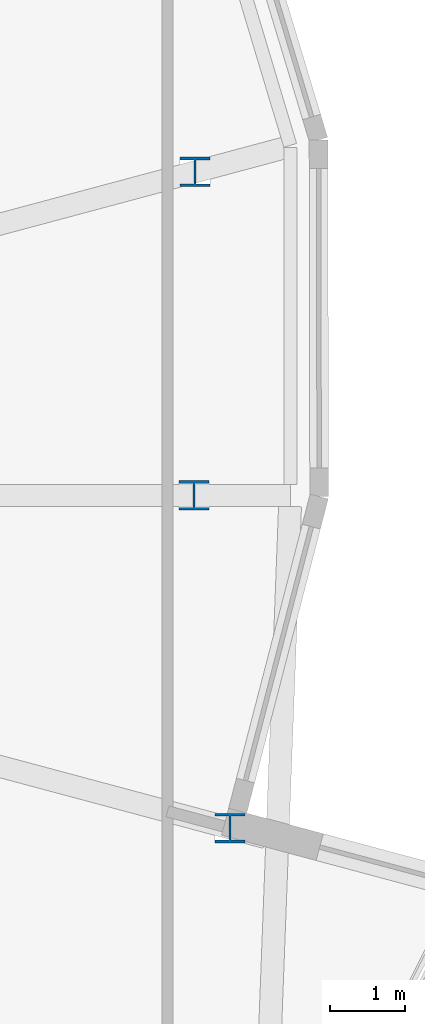
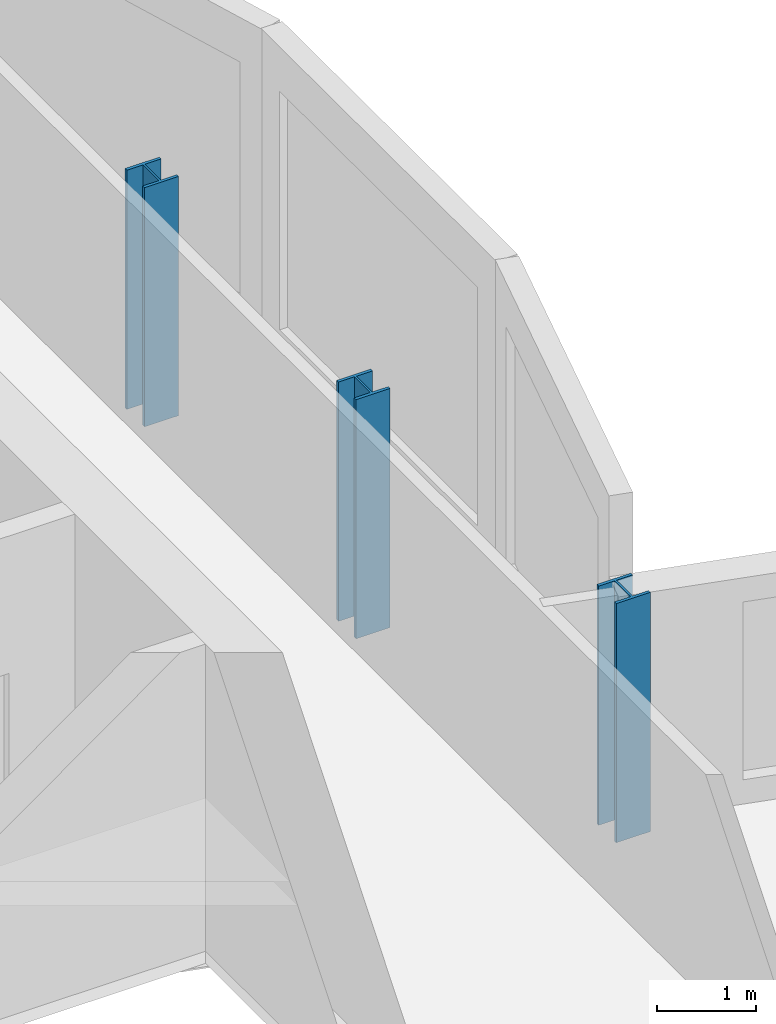
# One storey, part 2 of 37: 3 columns.
"""IFC4 building model written with IfcOpenShell, lengths in metres."""

from ifc_helpers import new_model, si_unit, direction, frame, origin, origin_2d, place, context, subcontext, project, spatial, i_section, extrude, material, material_profile, profile_set, type_object, element, save


model = new_model("IFC4")

# Units and contexts
model_context = context("Model", 3, precision=1e-05, world=origin(), true_north=direction((0.0, 1.0)))
body_context = subcontext(model_context, "Body", "Model", "MODEL_VIEW")
ifc_project = project(units=[si_unit("LENGTHUNIT", "METRE"), si_unit("AREAUNIT", "SQUARE_METRE"), si_unit("VOLUMEUNIT", "CUBIC_METRE"), si_unit("PLANEANGLEUNIT", "RADIAN"), si_unit("MASSUNIT", "GRAM", prefix="KILO")], contexts=[model_context])

# Site, building, storey
site_placement = place(None, origin())
site = spatial("IfcSite", under=ifc_project, at=site_placement, CompositionType="ELEMENT")
building_placement = place(site_placement, origin())
building = spatial("IfcBuilding", under=site, at=building_placement, Name="Rimbun Link Towers", CompositionType="ELEMENT")
storey_placement = place(building_placement, frame((0.0, 0.0, 170.300048828125)))
storey = spatial("IfcBuildingStorey", under=building, at=storey_placement, Name="L41", CompositionType="ELEMENT", Elevation=170.300048828125)

# Columns
ifc_material = material(Name="Steel S355J2", Category="steel")
ifc_material_profile = material_profile(ifc_material, i_section(OverallWidth=0.39892578125, OverallDepth=0.3935546875, WebThickness=0.022705078125, FlangeThickness=0.03662109375, at=origin_2d()), Name="UC 356x406x287")
ifc_profile_set = profile_set([ifc_material_profile], Name="Steel S355J2")
column_type = type_object("IfcColumnType", Name="UC 356x406x287", PredefinedType="COLUMN", material=ifc_profile_set)
for number, where, z_axis, x_axis, name in (
    (1, (48.319091796875, -4.439697265625, -0.150146484375), (0.0, 0.0, 1.0), (1.0, 0.0, 0.0), "Crease post T2 L41 20"),
    (2, (47.83740234375, 0.0, -0.150146484375), (0.0, 0.0, 1.0), (1.0, 0.0, 0.0), "Crease post T2 L41 21"),
    (3, (47.852783203125, 4.314697265625, -0.150146484375), (0.0, 0.0, 1.0), (1.0, 0.0, 0.0), "Crease post T2 L41 22"),
):
    element("IfcColumn", number, at=place(storey_placement, frame(where, z_axis=z_axis, x_axis=x_axis)), inside=storey, type_object=column_type, Name=name, PredefinedType="COLUMN", context=body_context, shape_type="SweptSolid", body=[
        extrude(i_section(OverallWidth=0.39892578125, OverallDepth=0.3935546875, WebThickness=0.022705078125, FlangeThickness=0.03662109375, at=origin_2d()), origin(), (0.0, 0.0, 1.0), 2.95947265625),
    ])

save(model, "model.ifc")
